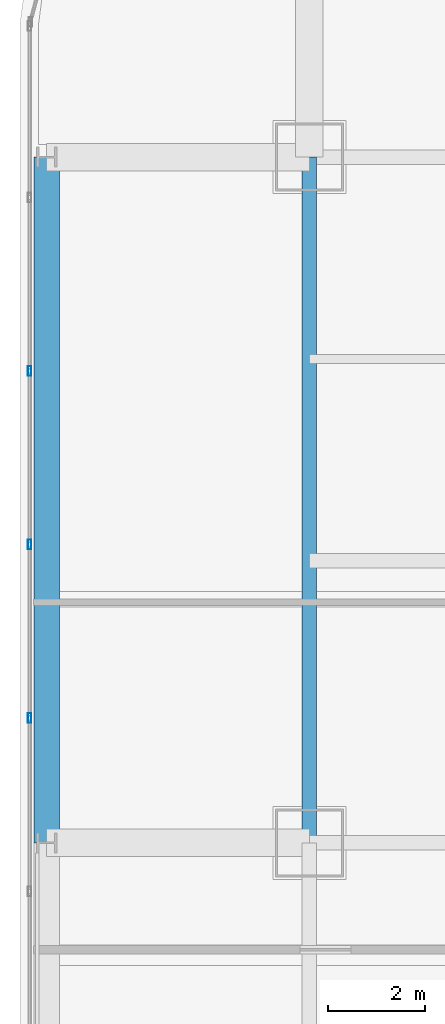
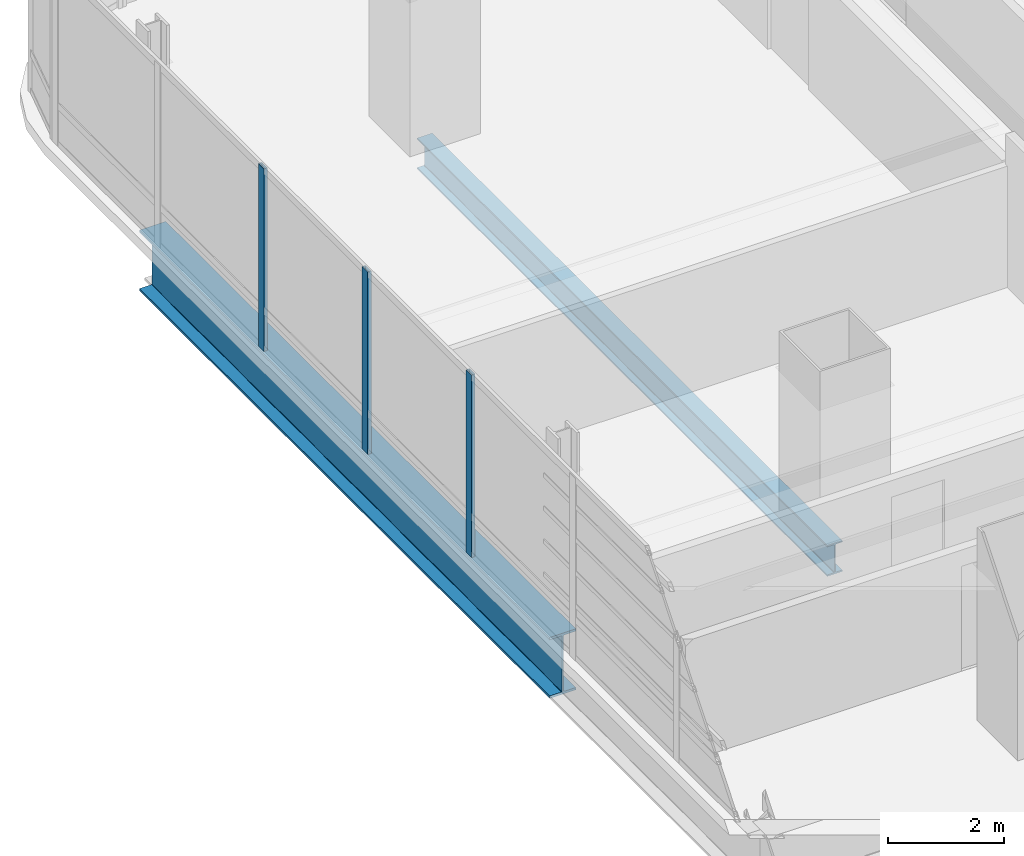
# One storey, part 12 of 38: 3 members, 2 beams, 1 element without a shape of its own.
"""IFC4 building model written with IfcOpenShell, lengths in metres."""

from ifc_helpers import new_model, si_unit, direction, frame, origin, origin_2d, place, context, subcontext, project, spatial, hollow_rectangle, i_section, extrude, material, material_profile, profile_set, type_object, element, aggregate, save


model = new_model("IFC4")

# Units and contexts
model_context = context("Model", 3, precision=1e-05, world=origin(), true_north=direction((0.0, 1.0)))
body_context = subcontext(model_context, "Body", "Model", "MODEL_VIEW")
ifc_project = project(units=[si_unit("LENGTHUNIT", "METRE"), si_unit("AREAUNIT", "SQUARE_METRE"), si_unit("VOLUMEUNIT", "CUBIC_METRE"), si_unit("PLANEANGLEUNIT", "RADIAN"), si_unit("MASSUNIT", "GRAM", prefix="KILO")], contexts=[model_context])

# Site, building, storey
site_placement = place(None, origin())
site = spatial("IfcSite", under=ifc_project, at=site_placement, CompositionType="ELEMENT")
building_placement = place(site_placement, origin())
building = spatial("IfcBuilding", under=site, at=building_placement, Name="Punatoya Terracotta Tower", CompositionType="ELEMENT")
storey_placement = place(building_placement, frame((0.0, 0.0, 151.949951171875)))
storey = spatial("IfcBuildingStorey", under=building, at=storey_placement, Name="L35", CompositionType="ELEMENT", Elevation=151.949951171875)

# Beams
ifc_material_1 = material(Name="Steel S355", Category="steel")
ifc_material_profile_1 = material_profile(ifc_material_1, i_section(OverallWidth=0.300048828125, OverallDepth=0.64990234375, WebThickness=0.01611328125, FlangeThickness=0.031005859375, FilletRadius=0.01806640625, at=origin_2d()))
ifc_profile_set_1 = profile_set([ifc_material_profile_1], Name="Steel S355")
beam_type_1 = type_object("IfcBeamType", Name="BM-PRI-650", PredefinedType="BEAM", material=ifc_profile_set_1)
beam_1_placement = place(storey_placement, frame((-19.10009765625, 3.39990234375, -0.544921875), z_axis=(0.0, 1.0, 0.0), x_axis=(-1.0, 0.0, 0.0)))
element("IfcBeam", 1, at=beam_1_placement, inside=storey, type_object=beam_type_1, Name="BM-L35-RG-W3", PredefinedType="BEAM", context=body_context, shape_type="SweptSolid", body=[
    extrude(i_section(OverallWidth=0.300048828125, OverallDepth=0.64990234375, WebThickness=0.01611328125, FlangeThickness=0.031005859375, FilletRadius=0.01806640625, at=origin_2d()), origin(), (0.0, 0.0, 1.0), 14.10009765625),
])
ifc_material_2 = material(Name="Steel S460", Category="steel")
ifc_material_profile_2 = material_profile(ifc_material_2, i_section(OverallWidth=0.52001953125, OverallDepth=1.280029296875, WebThickness=0.031982421875, FlangeThickness=0.050048828125, FilletRadius=0.01806640625, at=origin_2d()))
ifc_profile_set_2 = profile_set([ifc_material_profile_2], Name="Steel S460")
beam_type_2 = type_object("IfcBeamType", Name="BM-TG-NCK", PredefinedType="BEAM", material=ifc_profile_set_2)
beam_2_placement = place(storey_placement, frame((-24.5, 3.39990234375, -0.85986328125), z_axis=(0.0, 1.0, 0.0), x_axis=(-1.0, 0.0, 0.0)))
element("IfcBeam", 2, at=beam_2_placement, inside=storey, type_object=beam_type_2, Name="BM-L35-PER-W3", PredefinedType="BEAM", context=body_context, shape_type="SweptSolid", body=[
    extrude(i_section(OverallWidth=0.52001953125, OverallDepth=1.280029296875, WebThickness=0.031982421875, FlangeThickness=0.050048828125, FilletRadius=0.01806640625, at=origin_2d()), origin(), (0.0, 0.0, 1.0), 14.10009765625),
])

# Curtain wall, members
ifc_material_3 = material(Name="Aluminium 6063-T6 + Double Low-E Glass", Category="aluminium")
curtain_wall_type = type_object("IfcCurtainWallType", Name="CW-M2", PredefinedType="NOTDEFINED", material=ifc_material_3)
curtain_wall_placement = place(storey_placement, origin())
curtain_wall = element("IfcCurtainWall", 3, at=curtain_wall_placement, inside=storey, type_object=curtain_wall_type, Name="L35 Curtain Wall CW-L35-W13-1", PredefinedType="NOTDEFINED")
ifc_material_4 = material(Name="Aluminium 6063-T6", Category="aluminium")
ifc_material_profile_3 = material_profile(ifc_material_4, hollow_rectangle(XDim=0.072021484375, YDim=0.195068359375, WallThickness=0.00439453125, at=origin_2d()))
ifc_profile_set_3 = profile_set([ifc_material_profile_3], Name="Aluminium 6063-T6")
member_type = type_object("IfcMemberType", Name="CW-MUL-M2", PredefinedType="MULLION", material=ifc_profile_set_3)
member_1_placement = place(storey_placement, frame((-24.85009765625, 13.10205078125, 0.0), z_axis=(0.0, 0.0, 1.0), x_axis=(1.0, 0.0, 0.0)))
member_1 = element("IfcMember", 4, at=member_1_placement, type_object=member_type, Name="CW-L35-W13-1 Mullion 02", PredefinedType="MULLION", context=body_context, shape_type="SweptSolid", body=[
    extrude(hollow_rectangle(XDim=0.072021484375, YDim=0.195068359375, WallThickness=0.00439453125, at=origin_2d()), origin(), (0.0, 0.0, 1.0), 3.830078125),
])
member_2_placement = place(storey_placement, frame((-24.85009765625, 9.534912109375, 0.0), z_axis=(0.0, 0.0, 1.0), x_axis=(1.0, 0.0, 0.0)))
member_2 = element("IfcMember", 5, at=member_2_placement, type_object=member_type, Name="CW-L35-W13-1 Mullion 03", PredefinedType="MULLION", context=body_context, shape_type="SweptSolid", body=[
    extrude(hollow_rectangle(XDim=0.072021484375, YDim=0.195068359375, WallThickness=0.00439453125, at=origin_2d()), origin(), (0.0, 0.0, 1.0), 3.830078125),
])
member_3_placement = place(storey_placement, frame((-24.85009765625, 5.96728515625, 0.0), z_axis=(0.0, 0.0, 1.0), x_axis=(1.0, 0.0, 0.0)))
member_3 = element("IfcMember", 6, at=member_3_placement, type_object=member_type, Name="CW-L35-W13-1 Mullion 04", PredefinedType="MULLION", context=body_context, shape_type="SweptSolid", body=[
    extrude(hollow_rectangle(XDim=0.072021484375, YDim=0.195068359375, WallThickness=0.00439453125, at=origin_2d()), origin(), (0.0, 0.0, 1.0), 3.830078125),
])
aggregate(curtain_wall, [member_1, member_2, member_3])

save(model, "model.ifc")
